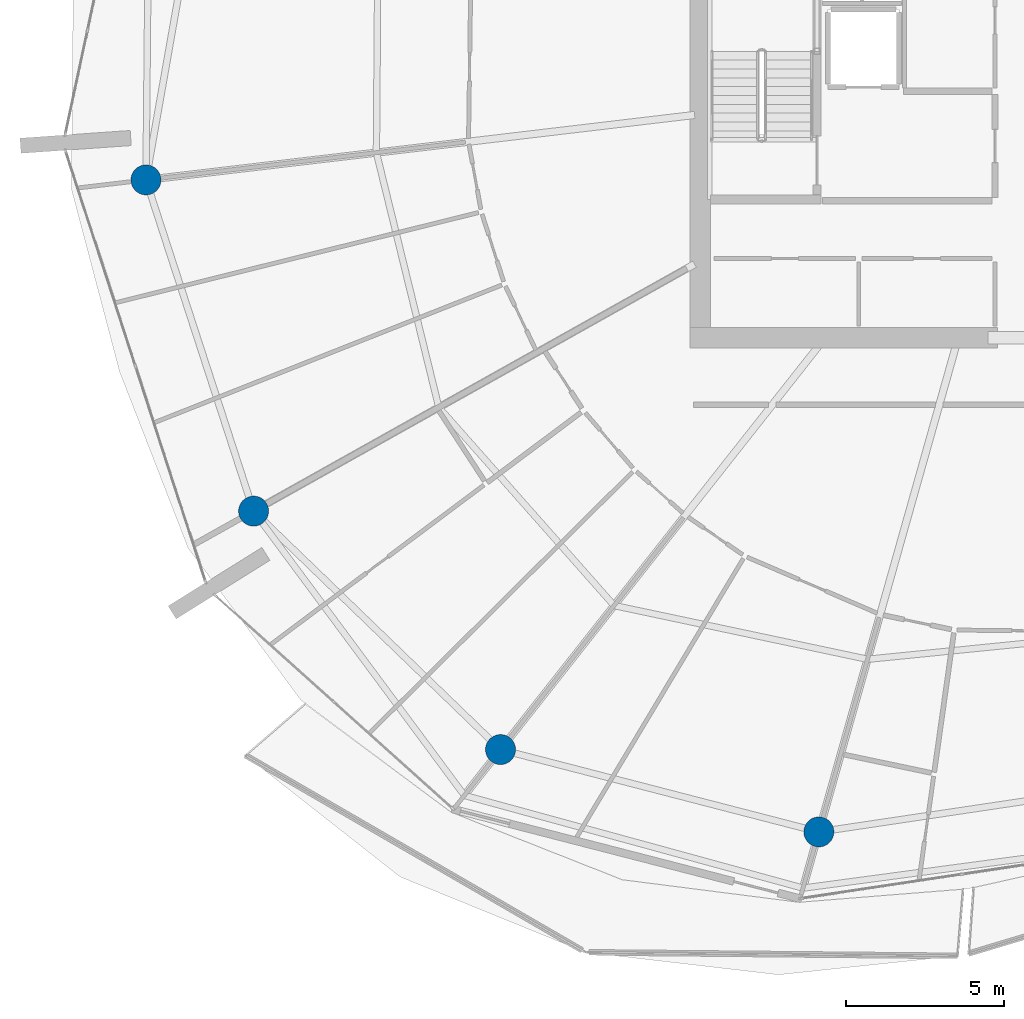
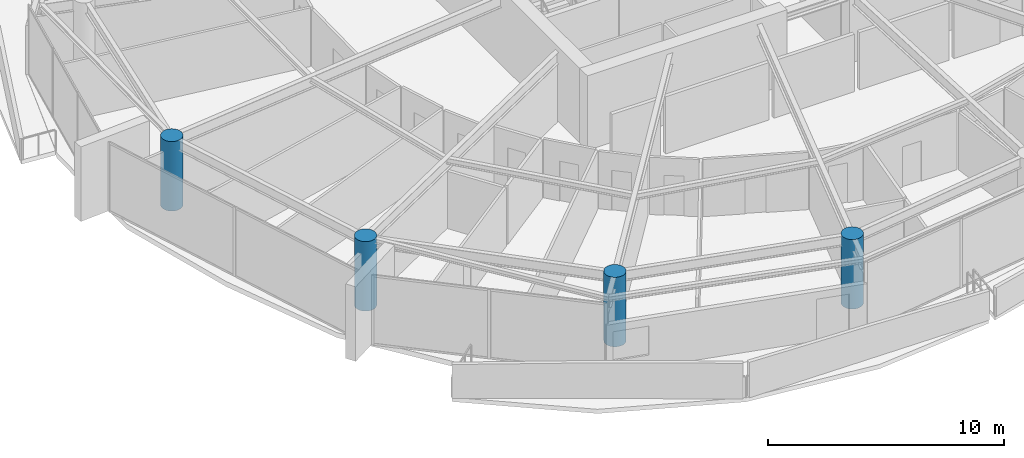
# One storey, part 1 of 30: 4 columns.
"""IFC4 building model written with IfcOpenShell, lengths in metres."""

from ifc_helpers import new_model, si_unit, direction, frame, origin, origin_2d, place, context, subcontext, project, spatial, circle, extrude, material, material_profile, profile_set, type_object, element, save


model = new_model("IFC4")

# Units and contexts
model_context = context("Model", 3, precision=1e-05, world=origin(), true_north=direction((0.0, 1.0)))
body_context = subcontext(model_context, "Body", "Model", "MODEL_VIEW")
ifc_project = project(units=[si_unit("LENGTHUNIT", "METRE"), si_unit("AREAUNIT", "SQUARE_METRE"), si_unit("VOLUMEUNIT", "CUBIC_METRE"), si_unit("PLANEANGLEUNIT", "RADIAN"), si_unit("MASSUNIT", "GRAM", prefix="KILO")], contexts=[model_context])

# Site, building, storey
site_placement = place(None, origin())
site = spatial("IfcSite", under=ifc_project, at=site_placement, CompositionType="ELEMENT")
building_placement = place(site_placement, origin())
building = spatial("IfcBuilding", under=site, at=building_placement, Name="Kazma Halo Residences", CompositionType="ELEMENT")
storey_placement = place(building_placement, frame((0.0, 0.0, 244.39990234375)))
storey = spatial("IfcBuildingStorey", under=building, at=storey_placement, Name="L61", CompositionType="ELEMENT", Elevation=244.39990234375)

# Columns
ifc_material = material(Name="Concrete C60/75", Category="concrete")
ifc_material_profile = material_profile(ifc_material, circle(Radius=0.47509765625, at=origin_2d()), Name="CIRC950")
ifc_profile_set = profile_set([ifc_material_profile], Name="Concrete C60/75")
column_type = type_object("IfcColumnType", Name="COL-PERIM-950", PredefinedType="COLUMN", material=ifc_profile_set)
for number, where, z_axis, x_axis, name in (
    (1, (19.92041015625, 38.676513671875, 0.0), (0.0, 0.0, 1.0), (1.0, 0.0, 0.0), "L61 perimeter ring column P08"),
    (2, (23.32958984375, 28.18408203125, 0.0), (0.0, 0.0, 1.0), (1.0, 0.0, 0.0), "L61 perimeter ring column P09"),
    (3, (31.15283203125, 20.62939453125, 0.0), (0.0, 0.0, 1.0), (1.0, 0.0, 0.0), "L61 perimeter ring column P10"),
    (4, (41.237060546875, 18.0205078125, 0.0), (0.0, 0.0, 1.0), (1.0, 0.0, 0.0), "L61 perimeter ring column P11"),
):
    element("IfcColumn", number, at=place(storey_placement, frame(where, z_axis=z_axis, x_axis=x_axis)), inside=storey, type_object=column_type, Name=name, PredefinedType="COLUMN", context=body_context, shape_type="SweptSolid", body=[
        extrude(circle(Radius=0.47509765625, at=origin_2d()), origin(), (0.0, 0.0, 1.0), 3.590087890625),
    ])

save(model, "model.ifc")
